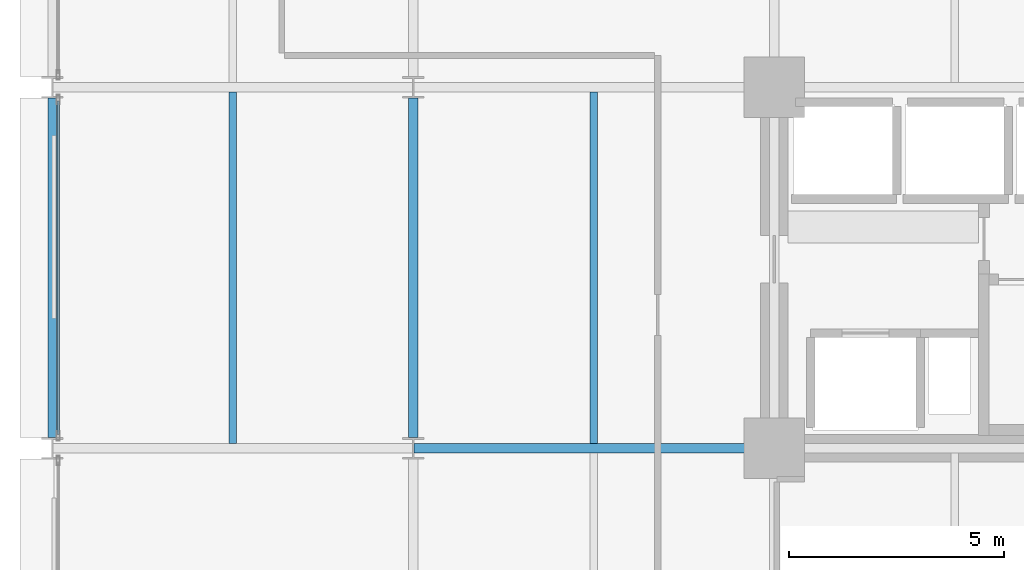
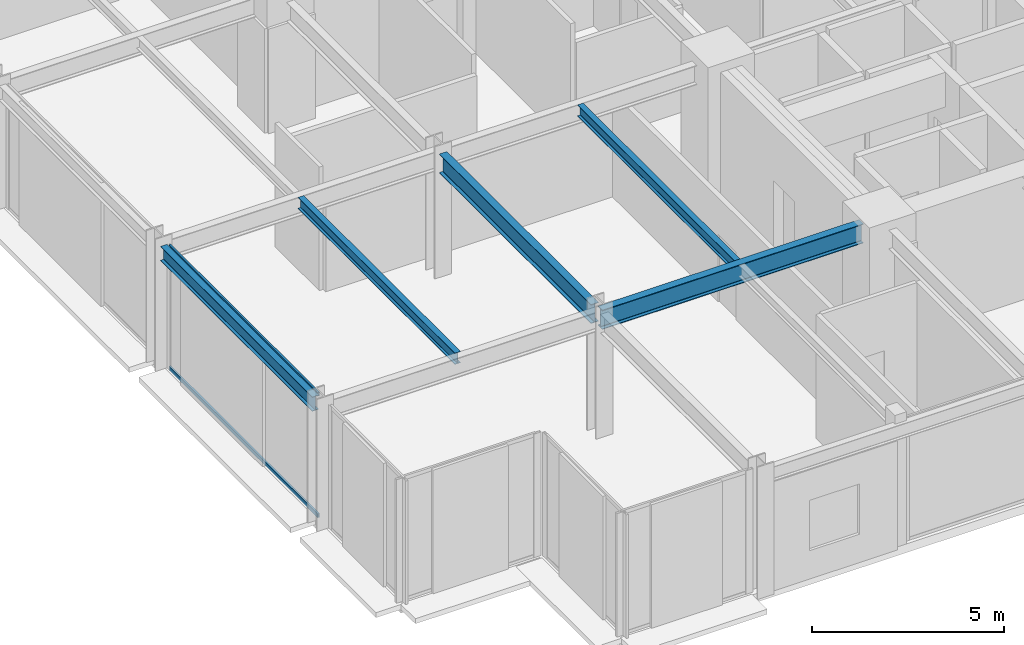
# One storey, part 3 of 25: 5 beams, 2 members, 1 element without a shape of its own.
"""IFC4 building model written with IfcOpenShell, lengths in metres."""

from ifc_helpers import new_model, si_unit, direction, frame, origin, origin_2d, place, context, subcontext, project, spatial, hollow_rectangle, i_section, extrude, material, layer, layer_set, material_profile, profile_set, type_object, element, aggregate, save


model = new_model("IFC4")

# Units and contexts
model_context = context("Model", 3, precision=1e-05, world=origin(), true_north=direction((0.0, 1.0)))
body_context = subcontext(model_context, "Body", "Model", "MODEL_VIEW")
ifc_project = project(units=[si_unit("LENGTHUNIT", "METRE"), si_unit("AREAUNIT", "SQUARE_METRE"), si_unit("VOLUMEUNIT", "CUBIC_METRE"), si_unit("PLANEANGLEUNIT", "RADIAN"), si_unit("MASSUNIT", "GRAM", prefix="KILO")], contexts=[model_context])

# Site, building, storey
site_placement = place(None, origin())
site = spatial("IfcSite", under=ifc_project, at=site_placement, CompositionType="ELEMENT")
building_placement = place(site_placement, origin())
building = spatial("IfcBuilding", under=site, at=building_placement, Name="Nerrivon Quay Data Exchange", CompositionType="ELEMENT")
storey_placement = place(building_placement, frame((0.0, 0.0, 24.800048828125)))
storey = spatial("IfcBuildingStorey", under=building, at=storey_placement, Name="L05", CompositionType="ELEMENT", Elevation=24.800048828125)

# Beams
ifc_material_1 = material(Name="Steel Grade 350", Category="steel")
ifc_material_profile_1 = material_profile(ifc_material_1, i_section(OverallWidth=0.22900390625, OverallDepth=0.612060546875, WebThickness=0.011962890625, FlangeThickness=0.01953125, FilletRadius=0.013916015625, at=origin_2d()), Name="610UB125")
ifc_profile_set_1 = profile_set([ifc_material_profile_1], Name="Steel Grade 350")
beam_type_1 = type_object("IfcBeamType", Name="BM-G1-610UB125", PredefinedType="BEAM", material=ifc_profile_set_1)
beam_1_placement = place(storey_placement, frame((8.4140625, 8.39990234375, 3.618896484375), z_axis=(1.0, 0.0, 0.0), x_axis=(0.0, 1.0, 0.0)))
element("IfcBeam", 1, at=beam_1_placement, inside=storey, type_object=beam_type_1, Name="L05 EW Girder Y=8.4 (8.4..16.8)", PredefinedType="BEAM", context=body_context, shape_type="SweptSolid", body=[
    extrude(i_section(OverallWidth=0.22900390625, OverallDepth=0.612060546875, WebThickness=0.011962890625, FlangeThickness=0.01953125, FilletRadius=0.013916015625, at=origin_2d()), origin(), (0.0, 0.0, 1.0), 7.845947265625),
])
ifc_material_profile_2 = material_profile(ifc_material_1, i_section(OverallWidth=0.22802734375, OverallDepth=0.60205078125, WebThickness=0.010498046875, FlangeThickness=0.014892578125, FilletRadius=0.013916015625, at=origin_2d()), Name="610UB101")
ifc_profile_set_2 = profile_set([ifc_material_profile_2], Name="Steel Grade 350")
beam_type_2 = type_object("IfcBeamType", Name="BM-G2-610UB101", PredefinedType="BEAM", material=ifc_profile_set_2)
beam_2_placement = place(storey_placement, frame((8.39990234375, 8.64990234375, 3.6240234375), z_axis=(0.0, 1.0, 0.0), x_axis=(-1.0, 0.0, 0.0)))
element("IfcBeam", 2, at=beam_2_placement, inside=storey, type_object=beam_type_2, Name="L05 NS Girder X=8.4 (8.4..16.8)", PredefinedType="BEAM", context=body_context, shape_type="SweptSolid", body=[
    extrude(i_section(OverallWidth=0.22802734375, OverallDepth=0.60205078125, WebThickness=0.010498046875, FlangeThickness=0.014892578125, FilletRadius=0.013916015625, at=origin_2d()), origin(), (0.0, 0.0, 1.0), 7.900146484375),
])
ifc_material_profile_3 = material_profile(ifc_material_1, i_section(OverallWidth=0.172119140625, OverallDepth=0.35888671875, WebThickness=0.008056640625, FlangeThickness=0.012939453125, FilletRadius=0.011474609375, at=origin_2d()), Name="360UB56.7")
ifc_profile_set_3 = profile_set([ifc_material_profile_3], Name="Steel Grade 350")
beam_type_3 = type_object("IfcBeamType", Name="BM-J3-360UB57", PredefinedType="JOIST", material=ifc_profile_set_3)
for number, where, z_axis, x_axis, name in (
    (3, (4.199951171875, 8.514404296875, 3.745361328125), (0.0, 1.0, 0.0), (-1.0, 0.0, 0.0), "L05 Secondary Joist X=4.2 (8.4..16.8)"),
    (4, (12.60009765625, 8.514404296875, 3.745361328125), (0.0, 1.0, 0.0), (-1.0, 0.0, 0.0), "L05 Secondary Joist X=12.6 (8.4..16.8)"),
):
    element("IfcBeam", number, at=place(storey_placement, frame(where, z_axis=z_axis, x_axis=x_axis)), inside=storey, type_object=beam_type_3, Name=name, PredefinedType="JOIST", context=body_context, shape_type="SweptSolid", body=[
        extrude(i_section(OverallWidth=0.172119140625, OverallDepth=0.35888671875, WebThickness=0.008056640625, FlangeThickness=0.012939453125, FilletRadius=0.011474609375, at=origin_2d()), origin(), (0.0, 0.0, 1.0), 8.171142578125),
    ])
ifc_material_profile_4 = material_profile(ifc_material_1, i_section(OverallWidth=0.18994140625, OverallDepth=0.4541015625, WebThickness=0.008544921875, FlangeThickness=0.0126953125, FilletRadius=0.011474609375, at=origin_2d()), Name="460UB67.1")
ifc_profile_set_4 = profile_set([ifc_material_profile_4], Name="Steel Grade 350")
beam_type_4 = type_object("IfcBeamType", Name="BM-SP1-460UB67", PredefinedType="SPANDREL", material=ifc_profile_set_4)
beam_3_placement = place(storey_placement, frame((0.0, 8.64990234375, 3.697998046875), z_axis=(0.0, 1.0, 0.0), x_axis=(-1.0, 0.0, 0.0)))
element("IfcBeam", 5, at=beam_3_placement, inside=storey, type_object=beam_type_4, Name="L05 NS Girder X=0.0 (8.4..16.8)", PredefinedType="SPANDREL", context=body_context, shape_type="SweptSolid", body=[
    extrude(i_section(OverallWidth=0.18994140625, OverallDepth=0.4541015625, WebThickness=0.008544921875, FlangeThickness=0.0126953125, FilletRadius=0.011474609375, at=origin_2d()), origin(), (0.0, 0.0, 1.0), 7.900146484375),
])

# Curtain wall, members
ifc_material_2 = material(Name="Anodised aluminium 6063-T6", Category="aluminium")
ifc_layer = layer(ifc_material_2, 0.219970703125)
ifc_layer_set = layer_set([ifc_layer], Name="Anodised aluminium 6063-T6")
curtain_wall_type = type_object("IfcCurtainWallType", Name="CW-SYS-01", PredefinedType="NOTDEFINED", material=ifc_layer_set)
curtain_wall_placement = place(storey_placement, origin())
curtain_wall = element("IfcCurtainWall", 6, at=curtain_wall_placement, inside=storey, type_object=curtain_wall_type, Name="L05 Unitised Curtain Wall 14", PredefinedType="NOTDEFINED")
ifc_material_profile_5 = material_profile(ifc_material_2, hollow_rectangle(XDim=0.06005859375, YDim=0.1201171875, WallThickness=0.003173828125, at=origin_2d()), Name="ALU-TRAN-120x60")
ifc_profile_set_5 = profile_set([ifc_material_profile_5], Name="Anodised aluminium 6063-T6")
member_type = type_object("IfcMemberType", Name="CWT-120x60", PredefinedType="USERDEFINED", material=ifc_profile_set_5)
member_1_placement = place(storey_placement, frame((0.139892578125, 8.72509765625, 0.032470703125), z_axis=(0.0, 1.0, 0.0), x_axis=(-1.0, 0.0, 0.0)))
member_1 = element("IfcMember", 7, at=member_1_placement, type_object=member_type, Name="CW01 transom 1.1", ObjectType="TRANSOM", PredefinedType="USERDEFINED", context=body_context, shape_type="SweptSolid", body=[
    extrude(hollow_rectangle(XDim=0.06005859375, YDim=0.1201171875, WallThickness=0.003173828125, at=origin_2d()), origin(), (0.0, 0.0, 1.0), 7.75),
])
member_2_placement = place(storey_placement, frame((0.139892578125, 8.72509765625, 3.892333984375), z_axis=(0.0, 1.0, 0.0), x_axis=(-1.0, 0.0, 0.0)))
member_2 = element("IfcMember", 8, at=member_2_placement, type_object=member_type, Name="CW01 transom 1.2", ObjectType="TRANSOM", PredefinedType="USERDEFINED", context=body_context, shape_type="SweptSolid", body=[
    extrude(hollow_rectangle(XDim=0.06005859375, YDim=0.1201171875, WallThickness=0.003173828125, at=origin_2d()), origin(), (0.0, 0.0, 1.0), 7.75),
])
aggregate(curtain_wall, [member_1, member_2])

save(model, "model.ifc")
